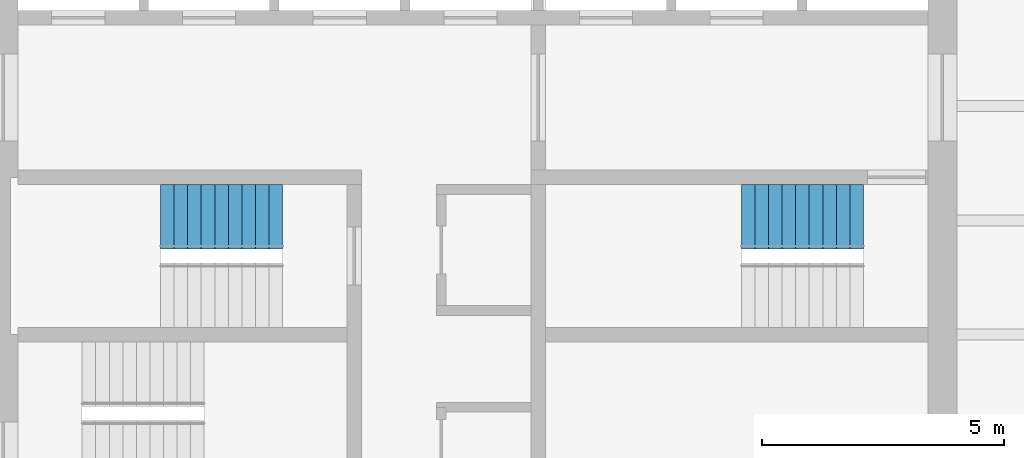
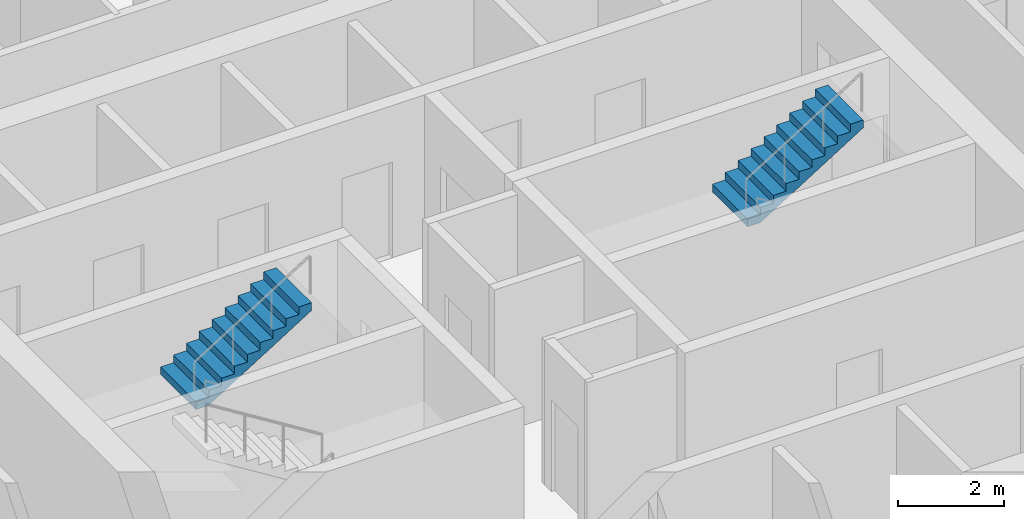
# One storey, part 9 of 10: 2 stair flights, 2 elements without a shape of their own.
"""IFC4 building model written with IfcOpenShell, lengths in metres."""

import ifcopenshell
import ifcopenshell.guid

model = None  # the IFC model being written
_history = None  # IfcOwnerHistory: only IFC2X3 demands one
_inside = {}  # id of a spatial element -> (the spatial element, [elements in it])
_under = {}  # id of a project, library or spatial element -> (it, [spatial elements below it])
_declared = {}  # id of a project -> (the project, [libraries it declares])
_typed = {}  # id of a type object -> (the type object, [elements of that type])
_made_of = {}  # id of a material, layer set ... -> (it, [elements and type objects made of it])


def new_model(schema):
    """Start an empty IFC model of exactly this schema.

    Asked for "IFC4X3", IfcOpenShell would pick the latest addendum, in which some entities
    have other attributes; the version numbers below select the first issue.
    IFC2X3 requires an IfcOwnerHistory on every rooted entity: one is made here for all.
    """
    global model, _history
    if schema == "IFC4X3":
        model = ifcopenshell.file(schema_version=(4, 3, 0, 0))
    else:
        model = ifcopenshell.file(schema=schema)
    _inside.clear()
    _under.clear()
    _declared.clear()
    _typed.clear()
    _made_of.clear()
    _history = None
    if model.schema == "IFC2X3":
        org = make("IfcOrganization", Name="unknown")
        user = make(
            "IfcPersonAndOrganization",
            ThePerson=make("IfcPerson", FamilyName="unknown"),
            TheOrganization=org,
        )
        app = make(
            "IfcApplication",
            ApplicationDeveloper=org,
            Version="unknown",
            ApplicationFullName="unknown",
            ApplicationIdentifier="unknown",
        )
        _history = make(
            "IfcOwnerHistory",
            OwningUser=user,
            OwningApplication=app,
            ChangeAction="ADDED",
            CreationDate=0,
        )
    return model


def make(cls, **values):
    """One entity of the class cls with the attributes given. An attribute that is None is left unset."""
    return model.create_entity(
        cls, **{name: value for name, value in values.items() if value is not None}
    )


def rooted(cls, **values):
    """An entity with a GlobalId (a new one), such as an element, a storey or a relation."""
    return make(cls, GlobalId=ifcopenshell.guid.new(), OwnerHistory=_history, **values)


def si_unit(unit_type, name, prefix=None):
    """IfcSIUnit, for example si_unit("LENGTHUNIT", "METRE", prefix="MILLI")."""
    return make("IfcSIUnit", UnitType=unit_type, Prefix=prefix, Name=name)


def assignment(units):
    """IfcUnitAssignment: the units of a project."""
    return None if units is None else make("IfcUnitAssignment", Units=units)


def point(xyz):
    """IfcCartesianPoint."""
    return None if xyz is None else make("IfcCartesianPoint", Coordinates=xyz)


def direction(xyz):
    """IfcDirection."""
    return None if xyz is None else make("IfcDirection", DirectionRatios=xyz)


def frame(location, z_axis=None, x_axis=None):
    """IfcAxis2Placement3D, a coordinate frame: its origin and axes. An axis left out is left unset."""
    return make(
        "IfcAxis2Placement3D",
        Location=point(location),
        Axis=direction(z_axis),
        RefDirection=direction(x_axis),
    )


def origin():
    """The frame at (0, 0, 0) with its axes left unset."""
    return frame((0.0, 0.0, 0.0))


def place(relative_to, where):
    """IfcLocalPlacement: puts the frame where relative to a parent placement (None: the world)."""
    return make(
        "IfcLocalPlacement", PlacementRelTo=relative_to, RelativePlacement=where
    )


def context(
    kind, dimensions, precision=None, world=None, true_north=None, identifier=None
):
    """IfcGeometricRepresentationContext, for example the 3D "Model" context."""
    return make(
        "IfcGeometricRepresentationContext",
        ContextIdentifier=identifier,
        ContextType=kind,
        CoordinateSpaceDimension=dimensions,
        Precision=precision,
        WorldCoordinateSystem=world,
        TrueNorth=true_north,
    )


def subcontext(parent, identifier, kind, view, scale=None):
    """IfcGeometricRepresentationSubContext, for example "Body" below "Model"."""
    return make(
        "IfcGeometricRepresentationSubContext",
        ContextIdentifier=identifier,
        ContextType=kind,
        ParentContext=parent,
        TargetScale=scale,
        TargetView=view,
    )


def project(units=None, contexts=None):
    """IfcProject with its units and contexts."""
    return rooted(
        "IfcProject",
        Name="project",
        RepresentationContexts=contexts,
        UnitsInContext=assignment(units),
    )


def spatial(cls, under=None, at=None, **own):
    """A site, building, storey or space (cls), placed at a placement, below another one or the project."""
    s = rooted(cls, ObjectPlacement=at, **own)
    if under is not None:
        _under.setdefault(under.id(), (under, []))[1].append(s)
    return s


def polyline(points):
    """IfcPolyline through the points."""
    return make("IfcPolyline", Points=[point(p) for p in points])


def outline(outer, holes=None, kind="AREA"):
    """IfcArbitraryClosedProfileDef: a profile drawn as a closed curve; with holes, ...WithVoids."""
    if holes is None:
        return make("IfcArbitraryClosedProfileDef", ProfileType=kind, OuterCurve=outer)
    return make(
        "IfcArbitraryProfileDefWithVoids",
        ProfileType=kind,
        OuterCurve=outer,
        InnerCurves=holes,
    )


def extrude(swept, where, along, depth):
    """IfcExtrudedAreaSolid: the profile swept, set in the frame where, extruded along a direction by depth."""
    return make(
        "IfcExtrudedAreaSolid",
        SweptArea=swept,
        Position=where,
        ExtrudedDirection=direction(along),
        Depth=depth,
    )


def shape(context_of_items, identifier, shape_type, items):
    """IfcShapeRepresentation: the items that make up one representation, for example the "Body"."""
    return make(
        "IfcShapeRepresentation",
        ContextOfItems=context_of_items,
        RepresentationIdentifier=identifier,
        RepresentationType=shape_type,
        Items=items,
    )


def material(Name=None, Category=None):
    """IfcMaterial."""
    return make("IfcMaterial", Name=Name, Category=Category)


def made_of(thing, what):
    """Note that an element or type object is made of a material, layer set ...; save() writes the relation."""
    if what is not None:
        _made_of.setdefault(what.id(), (what, []))[1].append(thing)
    return thing


def type_object(cls, material=None, **own):
    """A type object (cls), such as IfcWallType, which elements share."""
    return made_of(rooted(cls, **own), material)


def element(
    cls,
    number,
    at=None,
    inside=None,
    cuts=None,
    type_object=None,
    material=None,
    context=None,
    identifier="Body",
    shape_type=None,
    held_by="IfcProductDefinitionShape",
    body=None,
    shapes=None,
    **own,
):
    """One element of the class cls, such as IfcWall. Its Tag is "e" and its number.

    at: its placement. inside: the storey or other place that contains it. cuts: it is an
    opening in that element (IfcRelVoidsElement). A single representation is given by context,
    identifier, shape_type and body (its items); several are given by shapes. held_by: the class
    of the entity that holds the representations. save() writes the other relations.
    """
    e = rooted(cls, Tag="e%d" % number, ObjectPlacement=at, **own)
    if body is not None:
        shapes = [shape(context, identifier, shape_type, body)]
    if shapes is not None:
        e.Representation = make(held_by, Representations=shapes)
    if inside is not None:
        _inside.setdefault(inside.id(), (inside, []))[1].append(e)
    if cuts is not None:
        rooted(
            "IfcRelVoidsElement", RelatingBuildingElement=cuts, RelatedOpeningElement=e
        )
    if type_object is not None:
        _typed.setdefault(type_object.id(), (type_object, []))[1].append(e)
    return made_of(e, material)


def aggregate(whole, parts):
    """IfcRelAggregates: a whole, such as a stair, and the parts it consists of."""
    return rooted("IfcRelAggregates", RelatingObject=whole, RelatedObjects=parts)


def save(model, path):
    """Write the relations noted so far, then the file.

    IfcRelAggregates (storeys below a building ...), IfcRelContainedInSpatialStructure (elements
    in a storey), IfcRelDefinesByType, IfcRelAssociatesMaterial and IfcRelDeclares: one each for
    every whole, place, type object, material and project.
    """
    for whole, parts in _under.values():
        aggregate(whole, parts)
    for where, things in _inside.values():
        rooted(
            "IfcRelContainedInSpatialStructure",
            RelatedElements=things,
            RelatingStructure=where,
        )
    for kind, things in _typed.values():
        rooted("IfcRelDefinesByType", RelatedObjects=things, RelatingType=kind)
    for what, things in _made_of.values():
        rooted("IfcRelAssociatesMaterial", RelatedObjects=things, RelatingMaterial=what)
    for by, libraries in _declared.values():
        rooted("IfcRelDeclares", RelatingContext=by, RelatedDefinitions=libraries)
    model.write(path)


model = new_model("IFC4")

# Units and contexts
model_context = context("Model", 3, precision=1e-05, world=origin(), true_north=direction((0.0, 1.0)))
body_context = subcontext(model_context, "Body", "Model", "MODEL_VIEW")
ifc_project = project(units=[si_unit("LENGTHUNIT", "METRE"), si_unit("AREAUNIT", "SQUARE_METRE"), si_unit("VOLUMEUNIT", "CUBIC_METRE"), si_unit("PLANEANGLEUNIT", "RADIAN"), si_unit("MASSUNIT", "GRAM", prefix="KILO")], contexts=[model_context])

# Site, building, storey
site_placement = place(None, origin())
site = spatial("IfcSite", under=ifc_project, at=site_placement, CompositionType="ELEMENT")
building_placement = place(site_placement, origin())
building = spatial("IfcBuilding", under=site, at=building_placement, Name="Turquesa Mirador Hotel Tower", CompositionType="ELEMENT")
storey_placement = place(building_placement, frame((0.0, 0.0, 70.5)))
storey = spatial("IfcBuildingStorey", under=building, at=storey_placement, Name="L18", CompositionType="ELEMENT", Elevation=70.5)

# Stair, stair flight
ifc_material_1 = material(Name="Concrete C35/45", Category="concrete")
stair_type = type_object("IfcStairType", Name="ESCAPE STAIR CORE", PredefinedType="HALF_TURN_STAIR", material=ifc_material_1)
stair_1_placement = place(storey_placement, origin())
stair_1 = element("IfcStair", 1, at=stair_1_placement, inside=storey, type_object=stair_type, Name="Stair ST1 L18 to L19", PredefinedType="HALF_TURN_STAIR")
ifc_material_2 = material(Name="Concrete C35/45 precast flight", Category="concrete")
stair_flight_type = type_object("IfcStairFlightType", Name="STAIR FLIGHT 1330", PredefinedType="STRAIGHT", material=ifc_material_2)
stair_flight_1_placement = place(storey_placement, frame((48.550048828125, 47.43505859375, 1.75), z_axis=(0.0, 0.0, 1.0), x_axis=(1.0, 0.0, 0.0)))
stair_flight_1 = element("IfcStairFlight", 2, at=stair_flight_1_placement, type_object=stair_flight_type, Name="ST1 flight 2", NumberOfRisers=10, NumberOfTreads=9, PredefinedType="STRAIGHT", RiserHeight=0.175, TreadLength=0.28, context=body_context, shape_type="SweptSolid", body=[
    extrude(outline(polyline([(0.0, 0.0), (0.0, 0.175048828125), (0.280029296875, 0.175048828125), (0.280029296875, 0.35009765625), (0.56005859375, 0.35009765625), (0.56005859375, 0.52490234375), (0.840087890625, 0.52490234375), (0.840087890625, 0.699951171875), (1.1201171875, 0.699951171875), (1.1201171875, 0.875), (1.39990234375, 0.875), (1.39990234375, 1.050048828125), (1.679931640625, 1.050048828125), (1.679931640625, 1.22509765625), (1.9599609375, 1.22509765625), (1.9599609375, 1.39990234375), (2.239990234375, 1.39990234375), (2.239990234375, 1.574951171875), (2.52001953125, 1.574951171875), (2.52001953125, 1.75), (2.52001953125, 1.398193359375), (0.28271484375, 0.0), (0.0, 0.0)])), frame((0.0, 0.6650390625, 0.0), z_axis=(0.0, -1.0, 0.0), x_axis=(1.0, 0.0, 0.0)), (0.0, 0.0, 1.0), 1.330078125),
])
aggregate(stair_1, [stair_flight_1])

stair_2_placement = place(storey_placement, origin())
stair_2 = element("IfcStair", 3, at=stair_2_placement, inside=storey, type_object=stair_type, Name="Stair ST3 L18 to L19", PredefinedType="HALF_TURN_STAIR")
stair_flight_2_placement = place(storey_placement, frame((60.550048828125, 47.43505859375, 1.75), z_axis=(0.0, 0.0, 1.0), x_axis=(1.0, 0.0, 0.0)))
stair_flight_2 = element("IfcStairFlight", 4, at=stair_flight_2_placement, type_object=stair_flight_type, Name="ST3 flight 2", NumberOfRisers=10, NumberOfTreads=9, PredefinedType="STRAIGHT", RiserHeight=0.175, TreadLength=0.28, context=body_context, shape_type="SweptSolid", body=[
    extrude(outline(polyline([(0.0, 0.0), (0.0, 0.175048828125), (0.280029296875, 0.175048828125), (0.280029296875, 0.35009765625), (0.56005859375, 0.35009765625), (0.56005859375, 0.52490234375), (0.840087890625, 0.52490234375), (0.840087890625, 0.699951171875), (1.1201171875, 0.699951171875), (1.1201171875, 0.875), (1.39990234375, 0.875), (1.39990234375, 1.050048828125), (1.679931640625, 1.050048828125), (1.679931640625, 1.22509765625), (1.9599609375, 1.22509765625), (1.9599609375, 1.39990234375), (2.239990234375, 1.39990234375), (2.239990234375, 1.574951171875), (2.52001953125, 1.574951171875), (2.52001953125, 1.75), (2.52001953125, 1.398193359375), (0.28271484375, 0.0), (0.0, 0.0)])), frame((0.0, 0.6650390625, 0.0), z_axis=(0.0, -1.0, 0.0), x_axis=(1.0, 0.0, 0.0)), (0.0, 0.0, 1.0), 1.330078125),
])
aggregate(stair_2, [stair_flight_2])

save(model, "model.ifc")
